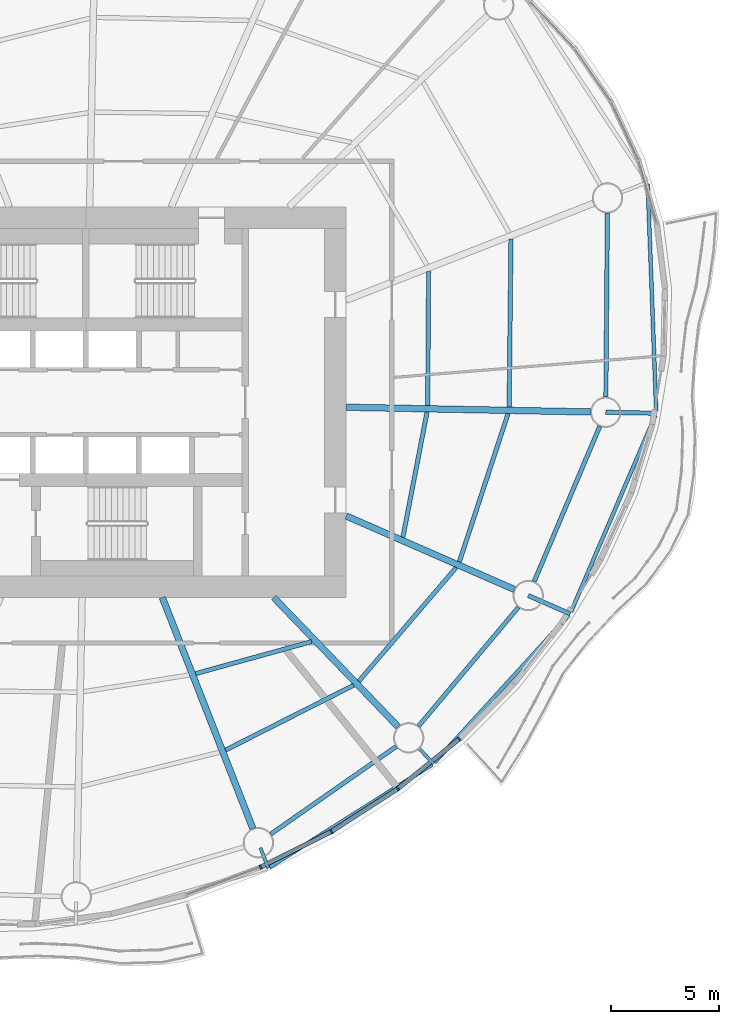
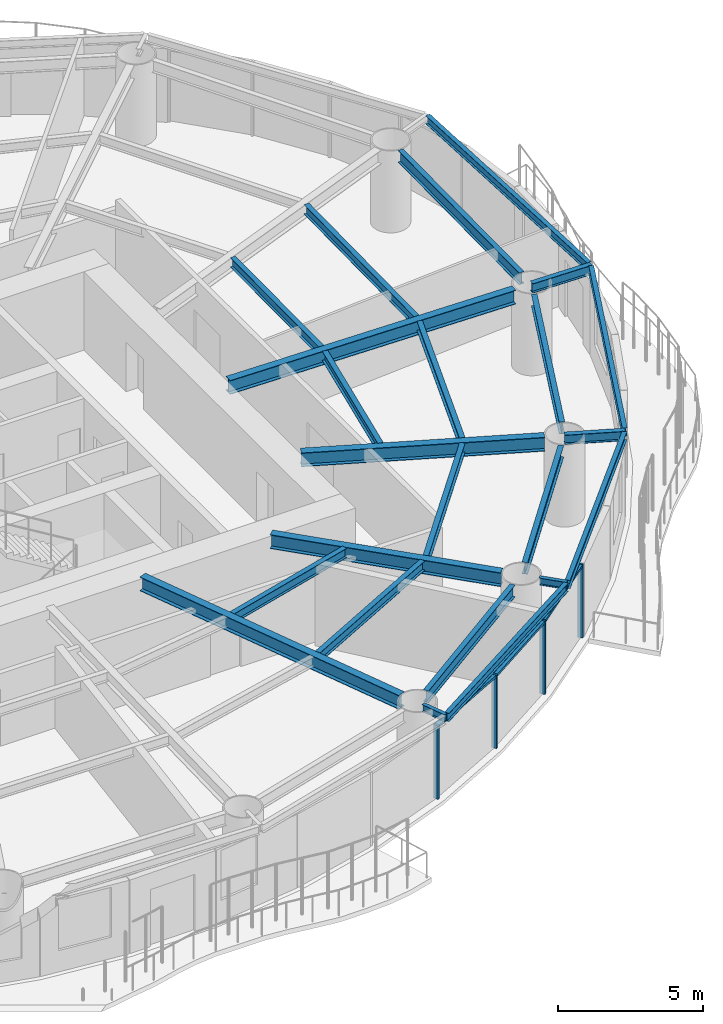
# One storey, part 4 of 15: 23 beams, 7 members, 3 elements without a shape of their own.
"""IFC4 building model written with IfcOpenShell, lengths in metres."""

from ifc_helpers import new_model, si_unit, direction, frame, origin, origin_2d, place, context, subcontext, project, spatial, rectangle, i_section, extrude, material, material_profile, profile_set, type_object, element, aggregate, save


model = new_model("IFC4")

# Units and contexts
model_context = context("Model", 3, precision=1e-05, world=origin(), true_north=direction((0.0, 1.0)))
body_context = subcontext(model_context, "Body", "Model", "MODEL_VIEW")
ifc_project = project(units=[si_unit("LENGTHUNIT", "METRE"), si_unit("AREAUNIT", "SQUARE_METRE"), si_unit("VOLUMEUNIT", "CUBIC_METRE"), si_unit("PLANEANGLEUNIT", "RADIAN"), si_unit("MASSUNIT", "GRAM", prefix="KILO")], contexts=[model_context])

# Site, building, storey
site_placement = place(None, origin())
site = spatial("IfcSite", under=ifc_project, at=site_placement, CompositionType="ELEMENT")
building_placement = place(site_placement, origin())
building = spatial("IfcBuilding", under=site, at=building_placement, Name="Vermilion Reach Broadcast Tower", CompositionType="ELEMENT")
storey_placement = place(building_placement, frame((0.0, 0.0, 154.199951171875)))
storey = spatial("IfcBuildingStorey", under=building, at=storey_placement, Name="L36", CompositionType="ELEMENT", Elevation=154.199951171875)

# Beams
ifc_material_1 = material(Name="Steel S355J2", Category="steel")
ifc_material_profile_1 = material_profile(ifc_material_1, i_section(OverallWidth=0.175048828125, OverallDepth=0.35009765625, WebThickness=0.007080078125, FlangeThickness=0.010986328125, at=origin_2d()), Name="S355J2 HN 350x175x7x11")
ifc_profile_set_1 = profile_set([ifc_material_profile_1], Name="Steel S355J2")
beam_type_1 = type_object("IfcBeamType", Name="EB3 HN 350x175x7x11", PredefinedType="BEAM", material=ifc_profile_set_1)
beam_1_placement = place(storey_placement, frame((2.474365234375, -21.429443359375, 3.275146484375), z_axis=(0.845215585197, 0.534425499523, 0.0), x_axis=(-0.534425499523, 0.845215585197, 0.0)))
element("IfcBeam", 1, at=beam_1_placement, inside=storey, type_object=beam_type_1, Name="Edge beam EB3-12", PredefinedType="BEAM", context=body_context, shape_type="SweptSolid", body=[
    extrude(i_section(OverallWidth=0.175048828125, OverallDepth=0.35009765625, WebThickness=0.007080078125, FlangeThickness=0.010986328125, at=origin_2d()), origin(), (0.0, 0.0, 1.0), 8.854736328125),
])
beam_2_placement = place(storey_placement, frame((10.073974609375, -16.600830078125, 3.275146484375), z_axis=(0.673897673609, 0.738824691997, 0.0), x_axis=(-0.738824691997, 0.673897673609, 0.0)))
element("IfcBeam", 2, at=beam_2_placement, inside=storey, type_object=beam_type_1, Name="Edge beam EB3-13", PredefinedType="BEAM", context=body_context, shape_type="SweptSolid", body=[
    extrude(i_section(OverallWidth=0.175048828125, OverallDepth=0.35009765625, WebThickness=0.007080078125, FlangeThickness=0.010986328125, at=origin_2d()), origin(), (0.0, 0.0, 1.0), 9.159912109375),
])
beam_3_placement = place(storey_placement, frame((16.357421875, -9.663330078125, 3.275146484375), z_axis=(0.394633797127, 0.918838487529, 0.0), x_axis=(-0.918838487529, 0.394633797127, 0.0)))
element("IfcBeam", 3, at=beam_3_placement, inside=storey, type_object=beam_type_1, Name="Edge beam EB3-14", PredefinedType="BEAM", context=body_context, shape_type="SweptSolid", body=[
    extrude(i_section(OverallWidth=0.175048828125, OverallDepth=0.35009765625, WebThickness=0.007080078125, FlangeThickness=0.010986328125, at=origin_2d()), origin(), (0.0, 0.0, 1.0), 9.8544921875),
])
beam_4_placement = place(storey_placement, frame((20.28515625, -0.4091796875, 3.275146484375), z_axis=(-0.037443412855, 0.999298749541, 0.0), x_axis=(-0.999298749541, -0.037443412855, 0.0)))
element("IfcBeam", 4, at=beam_4_placement, inside=storey, type_object=beam_type_1, Name="Edge beam EB3-15", PredefinedType="BEAM", context=body_context, shape_type="SweptSolid", body=[
    extrude(i_section(OverallWidth=0.175048828125, OverallDepth=0.35009765625, WebThickness=0.007080078125, FlangeThickness=0.010986328125, at=origin_2d()), origin(), (0.0, 0.0, 1.0), 10.47802734375),
])
ifc_material_2 = material(Name="Steel S355J2", Category="steel")
ifc_material_profile_2 = material_profile(ifc_material_2, i_section(OverallWidth=0.300048828125, OverallDepth=0.587890625, WebThickness=0.011962890625, FlangeThickness=0.02001953125, at=origin_2d()), Name="S355J2 HM 588x300x12x20")
ifc_profile_set_2 = profile_set([ifc_material_profile_2], Name="Steel S355J2")
beam_type_2 = type_object("IfcBeamType", Name="G3 HM 588x300x12x20", PredefinedType="BEAM", material=ifc_profile_set_2)
beam_5_placement = place(storey_placement, frame((-2.474853515625, -9.0, 3.156005859375), z_axis=(0.364715649973, -0.931118947646, 0.0), x_axis=(0.931118947646, 0.364715649973, 0.0)))
element("IfcBeam", 5, at=beam_5_placement, inside=storey, type_object=beam_type_2, Name="Girder G3-12", PredefinedType="BEAM", context=body_context, shape_type="SweptSolid", body=[
    extrude(i_section(OverallWidth=0.300048828125, OverallDepth=0.587890625, WebThickness=0.011962890625, FlangeThickness=0.02001953125, at=origin_2d()), origin(), (0.0, 0.0, 1.0), 11.436767578125),
])
beam_6_placement = place(storey_placement, frame((2.657958984375, -9.0, 3.156005859375), z_axis=(0.693282657492, -0.72066577331, 0.0), x_axis=(0.72066577331, 0.693282657492, 0.0)))
element("IfcBeam", 6, at=beam_6_placement, inside=storey, type_object=beam_type_2, Name="Girder G3-13", PredefinedType="BEAM", context=body_context, shape_type="SweptSolid", body=[
    extrude(i_section(OverallWidth=0.300048828125, OverallDepth=0.587890625, WebThickness=0.011962890625, FlangeThickness=0.02001953125, at=origin_2d()), origin(), (0.0, 0.0, 1.0), 8.273681640625),
])
beam_7_placement = place(storey_placement, frame((6.0, -5.2451171875, 3.156005859375), z_axis=(0.916287847036, -0.400520388213, 0.0), x_axis=(0.400520388213, 0.916287847036, 0.0)))
element("IfcBeam", 7, at=beam_7_placement, inside=storey, type_object=beam_type_2, Name="Girder G3-14", PredefinedType="BEAM", context=body_context, shape_type="SweptSolid", body=[
    extrude(i_section(OverallWidth=0.300048828125, OverallDepth=0.587890625, WebThickness=0.011962890625, FlangeThickness=0.02001953125, at=origin_2d()), origin(), (0.0, 0.0, 1.0), 8.45458984375),
])
beam_8_placement = place(storey_placement, frame((6.0, -0.232421875, 3.156005859375), z_axis=(0.999812170888, -0.019380994401, 0.0), x_axis=(0.019380994401, 0.999812170888, 0.0)))
element("IfcBeam", 8, at=beam_8_placement, inside=storey, type_object=beam_type_2, Name="Girder G3-15", PredefinedType="BEAM", context=body_context, shape_type="SweptSolid", body=[
    extrude(i_section(OverallWidth=0.300048828125, OverallDepth=0.587890625, WebThickness=0.011962890625, FlangeThickness=0.02001953125, at=origin_2d()), origin(), (0.0, 0.0, 1.0), 11.26171875),
])
ifc_material_3 = material(Name="Steel S355J2", Category="steel")
ifc_material_profile_3 = material_profile(ifc_material_3, i_section(OverallWidth=0.199951171875, OverallDepth=0.39990234375, WebThickness=0.008056640625, FlangeThickness=0.012939453125, at=origin_2d()), Name="S355J2 HN 400x200x8x13")
ifc_profile_set_3 = profile_set([ifc_material_profile_3], Name="Steel S355J2")
beam_type_3 = type_object("IfcBeamType", Name="GC3 HN 400x200x8x13", PredefinedType="BEAM", material=ifc_profile_set_3)
beam_9_placement = place(storey_placement, frame((14.38818359375, -8.91162109375, 3.25), z_axis=(0.916284997862, -0.400526906328, 0.0), x_axis=(0.400526906328, 0.916284997862, 0.0)))
element("IfcBeam", 9, at=beam_9_placement, inside=storey, type_object=beam_type_3, Name="Cantilever girder GC3-14", PredefinedType="BEAM", context=body_context, shape_type="SweptSolid", body=[
    extrude(i_section(OverallWidth=0.199951171875, OverallDepth=0.39990234375, WebThickness=0.008056640625, FlangeThickness=0.012939453125, at=origin_2d()), origin(), (0.0, 0.0, 1.0), 2.10595703125),
])
beam_10_placement = place(storey_placement, frame((17.95947265625, -0.464111328125, 3.25), z_axis=(0.999812106299, -0.019384326102, 0.0), x_axis=(0.019384326102, 0.999812106299, 0.0)))
element("IfcBeam", 10, at=beam_10_placement, inside=storey, type_object=beam_type_3, Name="Cantilever girder GC3-15", PredefinedType="BEAM", context=body_context, shape_type="SweptSolid", body=[
    extrude(i_section(OverallWidth=0.199951171875, OverallDepth=0.39990234375, WebThickness=0.008056640625, FlangeThickness=0.012939453125, at=origin_2d()), origin(), (0.0, 0.0, 1.0), 2.330078125),
])
ifc_material_4 = material(Name="Steel S355J2", Category="steel")
ifc_material_profile_4 = material_profile(ifc_material_4, i_section(OverallWidth=0.14990234375, OverallDepth=0.300048828125, WebThickness=0.006591796875, FlangeThickness=0.009033203125, at=origin_2d()), Name="S355J2 HN 300x150x6.5x9")
ifc_profile_set_4 = profile_set([ifc_material_profile_4], Name="Steel S355J2")
beam_type_4 = type_object("IfcBeamType", Name="GS3 HN 300x150x6.5x9", PredefinedType="BEAM", material=ifc_profile_set_4)
for number, where, z_axis, x_axis, name in (
    (11, (2.044921875, -20.5390625, 3.300048828125), (0.364730702407, -0.931113051526, 0.0), (0.931113051526, 0.364730702407, 0.0), "Cantilever stub GS3-12"),
    (12, (9.329833984375, -15.935791015625, 3.300048828125), (0.693303837595, -0.720645397388, 0.0), (0.720645397388, 0.693303837595, 0.0), "Cantilever stub GS3-13"),
):
    element("IfcBeam", number, at=place(storey_placement, frame(where, z_axis=z_axis, x_axis=x_axis)), inside=storey, type_object=beam_type_4, Name=name, PredefinedType="BEAM", context=body_context, shape_type="SweptSolid", body=[
        extrude(i_section(OverallWidth=0.14990234375, OverallDepth=0.300048828125, WebThickness=0.006591796875, FlangeThickness=0.009033203125, at=origin_2d()), origin(), (0.0, 0.0, 1.0), 1.0),
    ])
ifc_material_5 = material(Name="Steel S355J2", Category="steel")
ifc_material_profile_5 = material_profile(ifc_material_5, i_section(OverallWidth=0.199951171875, OverallDepth=0.5, WebThickness=0.010009765625, FlangeThickness=0.01611328125, at=origin_2d()), Name="S355J2 HN 500x200x10x16")
ifc_profile_set_5 = profile_set([ifc_material_profile_5], Name="Steel S355J2")
beam_type_5 = type_object("IfcBeamType", Name="RB3 HN 500x200x10x16", PredefinedType="BEAM", material=ifc_profile_set_5)
beam_11_placement = place(storey_placement, frame((2.525634765625, -19.900146484375, 3.199951171875), z_axis=(0.820111453349, 0.572203813415, 0.0), x_axis=(-0.572203813415, 0.820111453349, 0.0)))
element("IfcBeam", 13, at=beam_11_placement, inside=storey, type_object=beam_type_5, Name="Ring beam RB3-12", PredefinedType="BEAM", context=body_context, shape_type="SweptSolid", body=[
    extrude(i_section(OverallWidth=0.199951171875, OverallDepth=0.5, WebThickness=0.010009765625, FlangeThickness=0.01611328125, at=origin_2d()), origin(), (0.0, 0.0, 1.0), 7.04736328125),
])
beam_12_placement = place(storey_placement, frame((9.32958984375, -14.931396484375, 3.199951171875), z_axis=(0.643350337931, 0.765571905626, 0.0), x_axis=(-0.765571905626, 0.643350337931, 0.0)))
element("IfcBeam", 14, at=beam_12_placement, inside=storey, type_object=beam_type_5, Name="Ring beam RB3-13", PredefinedType="BEAM", context=body_context, shape_type="SweptSolid", body=[
    extrude(i_section(OverallWidth=0.199951171875, OverallDepth=0.5, WebThickness=0.010009765625, FlangeThickness=0.01611328125, at=origin_2d()), origin(), (0.0, 0.0, 1.0), 7.1630859375),
])
beam_13_placement = place(storey_placement, frame((14.660888671875, -8.266845703125, 3.199951171875), z_axis=(0.389368386196, 0.921082113512, 0.0), x_axis=(-0.921082113512, 0.389368386196, 0.0)))
element("IfcBeam", 15, at=beam_13_placement, inside=storey, type_object=beam_type_5, Name="Ring beam RB3-14", PredefinedType="BEAM", context=body_context, shape_type="SweptSolid", body=[
    extrude(i_section(OverallWidth=0.199951171875, OverallDepth=0.5, WebThickness=0.010009765625, FlangeThickness=0.01611328125, at=origin_2d()), origin(), (0.0, 0.0, 1.0), 7.771240234375),
])
beam_14_placement = place(storey_placement, frame((17.965087890625, 0.23583984375, 3.199951171875), z_axis=(0.008204232036, 0.999966344722, 0.0), x_axis=(-0.999966344722, 0.008204232036, 0.0)))
element("IfcBeam", 16, at=beam_14_placement, inside=storey, type_object=beam_type_5, Name="Ring beam RB3-15", PredefinedType="BEAM", context=body_context, shape_type="SweptSolid", body=[
    extrude(i_section(OverallWidth=0.199951171875, OverallDepth=0.5, WebThickness=0.010009765625, FlangeThickness=0.01611328125, at=origin_2d()), origin(), (0.0, 0.0, 1.0), 8.48095703125),
])
ifc_material_6 = material(Name="Steel S355J2", Category="steel")
ifc_material_profile_6 = material_profile(ifc_material_6, i_section(OverallWidth=0.199951171875, OverallDepth=0.39990234375, WebThickness=0.008056640625, FlangeThickness=0.012939453125, at=origin_2d()), Name="S355J2 HN 400x200x8x13")
ifc_profile_set_6 = profile_set([ifc_material_profile_6], Name="Steel S355J2")
beam_type_6 = type_object("IfcBeamType", Name="SB3 HN 400x200x8x13", PredefinedType="BEAM", material=ifc_profile_set_6)
beam_15_placement = place(storey_placement, frame((-0.93896484375, -12.509521484375, 3.25), z_axis=(0.963889790258, 0.266301468708, 0.0), x_axis=(-0.266301468708, 0.963889790258, 0.0)))
element("IfcBeam", 17, at=beam_15_placement, inside=storey, type_object=beam_type_6, Name="Secondary beam SB3-12-1", PredefinedType="BEAM", context=body_context, shape_type="SweptSolid", body=[
    extrude(i_section(OverallWidth=0.199951171875, OverallDepth=0.39990234375, WebThickness=0.008056640625, FlangeThickness=0.012939453125, at=origin_2d()), origin(), (0.0, 0.0, 1.0), 5.544677734375),
])
beam_16_placement = place(storey_placement, frame((0.4404296875, -16.03125, 3.25), z_axis=(0.892320561657, 0.451402276516, 0.0), x_axis=(-0.451402276516, 0.892320561657, 0.0)))
element("IfcBeam", 18, at=beam_16_placement, inside=storey, type_object=beam_type_6, Name="Secondary beam SB3-12-2", PredefinedType="BEAM", context=body_context, shape_type="SweptSolid", body=[
    extrude(i_section(OverallWidth=0.199951171875, OverallDepth=0.39990234375, WebThickness=0.008056640625, FlangeThickness=0.012939453125, at=origin_2d()), origin(), (0.0, 0.0, 1.0), 6.613525390625),
])
beam_17_placement = place(storey_placement, frame((6.579833984375, -12.860595703125, 3.25), z_axis=(0.650167134505, 0.759791219487, 0.0), x_axis=(-0.759791219487, 0.650167134505, 0.0)))
element("IfcBeam", 19, at=beam_17_placement, inside=storey, type_object=beam_type_6, Name="Secondary beam SB3-13-2", PredefinedType="BEAM", context=body_context, shape_type="SweptSolid", body=[
    extrude(i_section(OverallWidth=0.199951171875, OverallDepth=0.39990234375, WebThickness=0.008056640625, FlangeThickness=0.012939453125, at=origin_2d()), origin(), (0.0, 0.0, 1.0), 6.89501953125),
])
beam_18_placement = place(storey_placement, frame((8.611328125, -6.222900390625, 3.25), z_axis=(0.189462365782, 0.981887983404, 0.0), x_axis=(-0.981887983404, 0.189462365782, 0.0)))
element("IfcBeam", 20, at=beam_18_placement, inside=storey, type_object=beam_type_6, Name="Secondary beam SB3-14-1", PredefinedType="BEAM", context=body_context, shape_type="SweptSolid", body=[
    extrude(i_section(OverallWidth=0.199951171875, OverallDepth=0.39990234375, WebThickness=0.008056640625, FlangeThickness=0.012939453125, at=origin_2d()), origin(), (0.0, 0.0, 1.0), 5.874755859375),
])
beam_19_placement = place(storey_placement, frame((11.211669921875, -7.359375, 3.25), z_axis=(0.312243016281, 0.950002262515, 0.0), x_axis=(-0.950002262515, 0.312243016281, 0.0)))
element("IfcBeam", 21, at=beam_19_placement, inside=storey, type_object=beam_type_6, Name="Secondary beam SB3-14-2", PredefinedType="BEAM", context=body_context, shape_type="SweptSolid", body=[
    extrude(i_section(OverallWidth=0.199951171875, OverallDepth=0.39990234375, WebThickness=0.008056640625, FlangeThickness=0.012939453125, at=origin_2d()), origin(), (0.0, 0.0, 1.0), 7.19189453125),
])
beam_20_placement = place(storey_placement, frame((9.754150390625, -0.1552734375, 3.25), z_axis=(0.006635449147, 0.999977985165, 0.0), x_axis=(-0.999977985165, 0.006635449147, 0.0)))
element("IfcBeam", 22, at=beam_20_placement, inside=storey, type_object=beam_type_6, Name="Secondary beam SB3-15-1", PredefinedType="BEAM", context=body_context, shape_type="SweptSolid", body=[
    extrude(i_section(OverallWidth=0.199951171875, OverallDepth=0.39990234375, WebThickness=0.008056640625, FlangeThickness=0.012939453125, at=origin_2d()), origin(), (0.0, 0.0, 1.0), 6.181396484375),
])
beam_21_placement = place(storey_placement, frame((13.508056640625, -0.22802734375, 3.25), z_axis=(0.010691708672, 0.999942842049, 0.0), x_axis=(-0.999942842049, 0.010691708672, 0.0)))
element("IfcBeam", 23, at=beam_21_placement, inside=storey, type_object=beam_type_6, Name="Secondary beam SB3-15-2", PredefinedType="BEAM", context=body_context, shape_type="SweptSolid", body=[
    extrude(i_section(OverallWidth=0.199951171875, OverallDepth=0.39990234375, WebThickness=0.008056640625, FlangeThickness=0.012939453125, at=origin_2d()), origin(), (0.0, 0.0, 1.0), 7.740966796875),
])

# Curtain wall, member
ifc_material_7 = material(Name="Low-e laminated clear glass in aluminium frame", Category="aluminium")
curtain_wall_type = type_object("IfcCurtainWallType", Name="Slot curtain wall", PredefinedType="NOTDEFINED", material=ifc_material_7)
placement = place(storey_placement, origin())
curtain_wall_1 = element("IfcCurtainWall", 24, at=placement, inside=storey, type_object=curtain_wall_type, Name="Slot curtain wall L36 35", PredefinedType="NOTDEFINED")
ifc_material_8 = material(Name="Anodised aluminium", Category="aluminium")
ifc_material_profile_7 = material_profile(ifc_material_8, rectangle(XDim=0.199951171875, YDim=0.080078125, at=origin_2d()), Name="Slot mullion 80 x 200")
ifc_profile_set_7 = profile_set([ifc_material_profile_7], Name="Anodised aluminium")
member_type_1 = type_object("IfcMemberType", Name="Slot mullion 80 x 200", PredefinedType="MULLION", material=ifc_profile_set_7)
member_1_placement = place(storey_placement, frame((2.052001953125, -21.428955078125, 0.0), z_axis=(0.0, 0.0, 1.0), x_axis=(-0.40025422953, 0.916404142147, 0.0)))
member_1 = element("IfcMember", 25, at=member_1_placement, type_object=member_type_1, Name="Slot mullion L36 35", PredefinedType="MULLION", context=body_context, shape_type="SweptSolid", body=[
    extrude(rectangle(XDim=0.199951171875, YDim=0.080078125, at=origin_2d()), origin(), (0.0, 0.0, 1.0), 3.10009765625),
])

curtain_wall_2 = element("IfcCurtainWall", 26, at=placement, inside=storey, type_object=curtain_wall_type, Name="Slot curtain wall L36 36", PredefinedType="NOTDEFINED")
member_2_placement = place(storey_placement, frame((5.31494140625, -19.788818359375, 0.0), z_axis=(0.0, 0.0, 1.0), x_axis=(-0.496368063107, 0.868112173585, 0.0)))
member_2 = element("IfcMember", 27, at=member_2_placement, type_object=member_type_1, Name="Slot mullion L36 36", PredefinedType="MULLION", context=body_context, shape_type="SweptSolid", body=[
    extrude(rectangle(XDim=0.199951171875, YDim=0.080078125, at=origin_2d()), origin(), (0.0, 0.0, 1.0), 3.10009765625),
])

# Curtain wall, members
curtain_wall_3 = element("IfcCurtainWall", 28, at=placement, inside=storey, type_object=curtain_wall_type, Name="Slot curtain wall L36 37", PredefinedType="NOTDEFINED")
member_3_placement = place(storey_placement, frame((8.38330078125, -17.808837890625, 0.0), z_axis=(0.0, 0.0, 1.0), x_axis=(-0.586738960027, 0.809776137452, 0.0)))
member_3 = element("IfcMember", 29, at=member_3_placement, type_object=member_type_1, Name="Slot mullion L36 37", PredefinedType="MULLION", context=body_context, shape_type="SweptSolid", body=[
    extrude(rectangle(XDim=0.199951171875, YDim=0.080078125, at=origin_2d()), origin(), (0.0, 0.0, 1.0), 3.10009765625),
])
member_4_placement = place(storey_placement, frame((11.204345703125, -15.52294921875, 0.0), z_axis=(0.0, 0.0, 1.0), x_axis=(-0.671216178054, 0.741261655773, 0.0)))
member_4 = element("IfcMember", 30, at=member_4_placement, type_object=member_type_1, Name="Slot mullion L36 38", PredefinedType="MULLION", context=body_context, shape_type="SweptSolid", body=[
    extrude(rectangle(XDim=0.199951171875, YDim=0.080078125, at=origin_2d()), origin(), (0.0, 0.0, 1.0), 3.10009765625),
])

# Member
ifc_material_9 = material(Name="Anodised aluminium", Category="aluminium")
ifc_material_profile_8 = material_profile(ifc_material_9, rectangle(XDim=0.199951171875, YDim=0.10009765625, at=origin_2d()), Name="Slot transom 200 x 100")
ifc_profile_set_8 = profile_set([ifc_material_profile_8], Name="Anodised aluminium")
member_type_2 = type_object("IfcMemberType", Name="Slot transom 200 x 100", PredefinedType="USERDEFINED", material=ifc_profile_set_8)
member_5_placement = place(storey_placement, frame((2.087646484375, -21.410888671875, 3.050048828125), z_axis=(0.893495673285, 0.449071800297, 0.0), x_axis=(-0.449071800297, 0.893495673285, 0.0)))
member_5 = element("IfcMember", 31, at=member_5_placement, type_object=member_type_2, Name="Slot transom L36 35.1", ObjectType="TRANSOM", PredefinedType="USERDEFINED", context=body_context, shape_type="SweptSolid", body=[
    extrude(rectangle(XDim=0.199951171875, YDim=0.10009765625, at=origin_2d()), origin(), (0.0, 0.0, 1.0), 3.57177734375),
])

aggregate(curtain_wall_1, [member_1, member_5])

member_6_placement = place(storey_placement, frame((5.348388671875, -19.76708984375, 3.050048828125), z_axis=(0.840264504223, 0.542176689782, 0.0), x_axis=(-0.542176689782, 0.840264504223, 0.0)))
member_6 = element("IfcMember", 32, at=member_6_placement, type_object=member_type_2, Name="Slot transom L36 36.1", ObjectType="TRANSOM", PredefinedType="USERDEFINED", context=body_context, shape_type="SweptSolid", body=[
    extrude(rectangle(XDim=0.199951171875, YDim=0.10009765625, at=origin_2d()), origin(), (0.0, 0.0, 1.0), 3.57177734375),
])

aggregate(curtain_wall_2, [member_2, member_6])

member_7_placement = place(storey_placement, frame((8.414306640625, -17.78369140625, 3.050048828125), z_axis=(0.776956599481, 0.629554161707, 0.0), x_axis=(-0.629554161707, 0.776956599481, 0.0)))
member_7 = element("IfcMember", 33, at=member_7_placement, type_object=member_type_2, Name="Slot transom L36 37.1", ObjectType="TRANSOM", PredefinedType="USERDEFINED", context=body_context, shape_type="SweptSolid", body=[
    extrude(rectangle(XDim=0.199951171875, YDim=0.10009765625, at=origin_2d()), origin(), (0.0, 0.0, 1.0), 3.551025390625),
])

aggregate(curtain_wall_3, [member_3, member_4, member_7])

save(model, "model.ifc")
